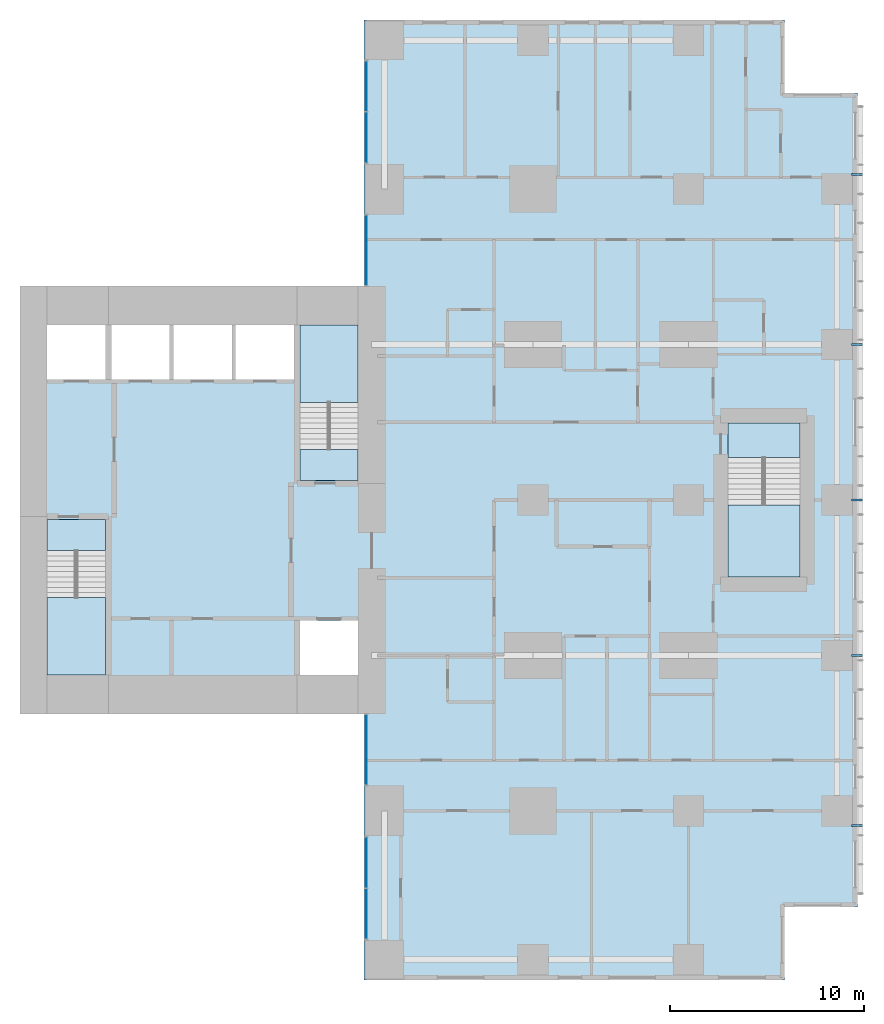
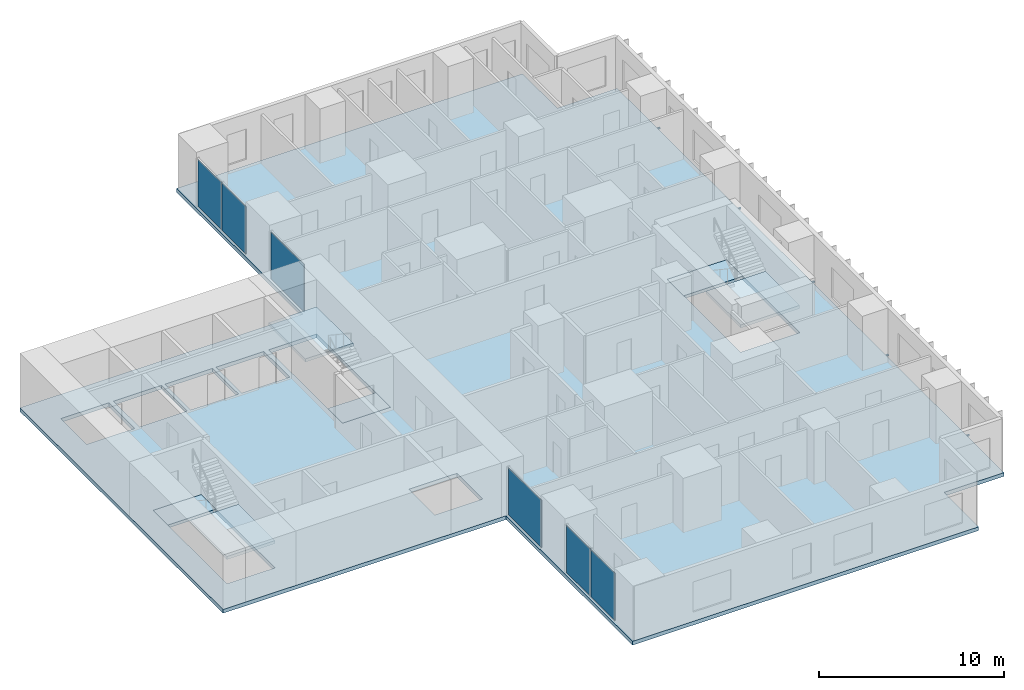
# One storey, part 4 of 12: 7 slabs, 6 plates, 5 members, 7 elements without a shape of their own.
"""IFC4 building model written with IfcOpenShell, lengths in metres."""

from ifc_helpers import new_model, si_unit, direction, frame, origin, origin_2d, place, context, subcontext, project, spatial, polyline, rectangle, hollow_rectangle, outline, extrude, material, layer, layer_set, material_profile, profile_set, type_object, element, aggregate, save


model = new_model("IFC4")

# Units and contexts
model_context = context("Model", 3, precision=1e-05, world=origin(), true_north=direction((0.0, 1.0)))
body_context = subcontext(model_context, "Body", "Model", "MODEL_VIEW")
ifc_project = project(units=[si_unit("LENGTHUNIT", "METRE"), si_unit("AREAUNIT", "SQUARE_METRE"), si_unit("VOLUMEUNIT", "CUBIC_METRE"), si_unit("PLANEANGLEUNIT", "RADIAN"), si_unit("MASSUNIT", "GRAM", prefix="KILO")], contexts=[model_context])

# Site, building, storey
site_placement = place(None, origin())
site = spatial("IfcSite", under=ifc_project, at=site_placement, CompositionType="ELEMENT")
building_placement = place(site_placement, origin())
building = spatial("IfcBuilding", under=site, at=building_placement, Name="Cleftline Residences", CompositionType="ELEMENT")
storey_placement = place(building_placement, frame((0.0, 0.0, 273.60009765625)))
storey = spatial("IfcBuildingStorey", under=building, at=storey_placement, Name="L72", CompositionType="ELEMENT", Elevation=273.60009765625)

# Members
ifc_material_1 = material(Name="Steel S355, hot-dip galvanised", Category="steel")
ifc_material_profile = material_profile(ifc_material_1, hollow_rectangle(XDim=0.10009765625, YDim=0.10009765625, WallThickness=0.008056640625, InnerFilletRadius=0.008056640625, OuterFilletRadius=0.011962890625, at=origin_2d()))
ifc_profile_set = profile_set([ifc_material_profile], Name="Steel S355, hot-dip galvanised")
member_type = type_object("IfcMemberType", Name="BAGUETTE BRACKET SHS 100X100X8", PredefinedType="USERDEFINED", material=ifc_profile_set)
for number, where, z_axis, x_axis, name in (
    (1, (66.39990234375, 7.25, -0.150146484375), (1.0, 0.0, 0.0), (0.0, 1.0, 0.0), "Baguette bracket"),
    (2, (66.39990234375, 16.0, -0.150146484375), (1.0, 0.0, 0.0), (0.0, 1.0, 0.0), "Baguette bracket"),
    (3, (66.39990234375, 24.0, -0.150146484375), (1.0, 0.0, 0.0), (0.0, 1.0, 0.0), "Baguette bracket"),
    (4, (66.39990234375, 32.0, -0.150146484375), (1.0, 0.0, 0.0), (0.0, 1.0, 0.0), "Baguette bracket"),
    (5, (66.39990234375, 40.75, -0.150146484375), (1.0, 0.0, 0.0), (0.0, 1.0, 0.0), "Baguette bracket"),
):
    element("IfcMember", number, at=place(storey_placement, frame(where, z_axis=z_axis, x_axis=x_axis)), inside=storey, type_object=member_type, Name=name, ObjectType="BAGUETTE BRACKET", PredefinedType="USERDEFINED", context=body_context, shape_type="SweptSolid", body=[
        extrude(hollow_rectangle(XDim=0.10009765625, YDim=0.10009765625, WallThickness=0.008056640625, InnerFilletRadius=0.008056640625, OuterFilletRadius=0.011962890625, at=origin_2d()), origin(), (0.0, 0.0, 1.0), 0.550048828125),
    ])

# Curtain wall, plate
ifc_material_2 = material(Name="Aluminium framed curtain wall", Category="aluminium")
ifc_layer_1 = layer(ifc_material_2, 0.199951171875)
ifc_layer_set_1 = layer_set([ifc_layer_1], Name="CW1 CLEFT GLAZING")
curtain_wall_type = type_object("IfcCurtainWallType", Name="CW1 CLEFT GLAZING", PredefinedType="NOTDEFINED", material=ifc_layer_set_1)
curtain_wall_1_placement = place(storey_placement, origin())
curtain_wall_1 = element("IfcCurtainWall", 6, at=curtain_wall_1_placement, inside=storey, type_object=curtain_wall_type, Name="Curtain wall CW1", PredefinedType="NOTDEFINED")
ifc_material_3 = material(Name="Laminated clear glass", Category="glass")
ifc_layer_2 = layer(ifc_material_3, 0.028076171875)
ifc_layer_set_2 = layer_set([ifc_layer_2], Name="CW1 GLASS PANEL")
plate_type_1 = type_object("IfcPlateType", Name="CW1 GLASS PANEL", PredefinedType="CURTAIN_PANEL", material=ifc_layer_set_2)
plate_1_placement = place(storey_placement, frame((41.425048828125, 5.347412109375, 0.06005859375), z_axis=(0.0, 0.0, 1.0), x_axis=(0.0, -1.0, 0.0)))
plate_1 = element("IfcPlate", 7, at=plate_1_placement, type_object=plate_type_1, Name="CW1 panel 1.1", PredefinedType="CURTAIN_PANEL", context=body_context, shape_type="SweptSolid", body=[
    extrude(rectangle(XDim=2.5849609375, YDim=0.028076171875, at=origin_2d()), origin(), (0.0, 0.0, 1.0), 3.1298828125),
])

curtain_wall_2_placement = place(storey_placement, origin())
curtain_wall_2 = element("IfcCurtainWall", 8, at=curtain_wall_2_placement, inside=storey, type_object=curtain_wall_type, Name="Curtain wall CW1", PredefinedType="NOTDEFINED")
plate_2_placement = place(storey_placement, frame((41.425048828125, 45.297607421875, 0.06005859375), z_axis=(0.0, 0.0, 1.0), x_axis=(0.0, -1.0, 0.0)))
plate_2 = element("IfcPlate", 9, at=plate_2_placement, type_object=plate_type_1, Name="CW1 panel 1.1", PredefinedType="CURTAIN_PANEL", context=body_context, shape_type="SweptSolid", body=[
    extrude(rectangle(XDim=2.5849609375, YDim=0.028076171875, at=origin_2d()), origin(), (0.0, 0.0, 1.0), 3.1298828125),
])

curtain_wall_3_placement = place(storey_placement, origin())
curtain_wall_3 = element("IfcCurtainWall", 10, at=curtain_wall_3_placement, inside=storey, type_object=curtain_wall_type, Name="Curtain wall CW1", PredefinedType="NOTDEFINED")
ifc_material_4 = material(Name="Insulated aluminium panel", Category="aluminium")
ifc_layer_3 = layer(ifc_material_4, 0.028076171875)
ifc_layer_set_3 = layer_set([ifc_layer_3], Name="CW1 INSULATED PANEL")
plate_type_2 = type_object("IfcPlateType", Name="CW1 INSULATED PANEL", PredefinedType="USERDEFINED", material=ifc_layer_set_3)
plate_3_placement = place(storey_placement, frame((41.425048828125, 11.14990234375, 0.06005859375), z_axis=(0.0, 0.0, 1.0), x_axis=(0.0, -1.0, 0.0)))
plate_3 = element("IfcPlate", 11, at=plate_3_placement, type_object=plate_type_2, Name="CW1 panel 1.1", ObjectType="INSULATED PANEL", PredefinedType="USERDEFINED", context=body_context, shape_type="SweptSolid", body=[
    extrude(rectangle(XDim=3.580078125, YDim=0.028076171875, at=origin_2d()), origin(), (0.0, 0.0, 1.0), 3.1298828125),
])
aggregate(curtain_wall_3, [plate_3])

# Plate
plate_4_placement = place(storey_placement, frame((41.425048828125, 2.702392578125, 0.06005859375), z_axis=(0.0, 0.0, 1.0), x_axis=(0.0, -1.0, 0.0)))
plate_4 = element("IfcPlate", 12, at=plate_4_placement, type_object=plate_type_2, Name="CW1 panel 2.1", ObjectType="INSULATED PANEL", PredefinedType="USERDEFINED", context=body_context, shape_type="SweptSolid", body=[
    extrude(rectangle(XDim=2.5849609375, YDim=0.028076171875, at=origin_2d()), origin(), (0.0, 0.0, 1.0), 3.1298828125),
])

aggregate(curtain_wall_1, [plate_1, plate_4])

plate_5_placement = place(storey_placement, frame((41.425048828125, 42.652587890625, 0.06005859375), z_axis=(0.0, 0.0, 1.0), x_axis=(0.0, -1.0, 0.0)))
plate_5 = element("IfcPlate", 13, at=plate_5_placement, type_object=plate_type_2, Name="CW1 panel 2.1", ObjectType="INSULATED PANEL", PredefinedType="USERDEFINED", context=body_context, shape_type="SweptSolid", body=[
    extrude(rectangle(XDim=2.5849609375, YDim=0.028076171875, at=origin_2d()), origin(), (0.0, 0.0, 1.0), 3.1298828125),
])

aggregate(curtain_wall_2, [plate_2, plate_5])

# Curtain wall, plate
curtain_wall_4_placement = place(storey_placement, origin())
curtain_wall_4 = element("IfcCurtainWall", 14, at=curtain_wall_4_placement, inside=storey, type_object=curtain_wall_type, Name="Curtain wall CW1", PredefinedType="NOTDEFINED")
plate_6_placement = place(storey_placement, frame((41.425048828125, 36.85009765625, 0.06005859375), z_axis=(0.0, 0.0, 1.0), x_axis=(0.0, -1.0, 0.0)))
plate_6 = element("IfcPlate", 15, at=plate_6_placement, type_object=plate_type_2, Name="CW1 panel 1.1", ObjectType="INSULATED PANEL", PredefinedType="USERDEFINED", context=body_context, shape_type="SweptSolid", body=[
    extrude(rectangle(XDim=3.580078125, YDim=0.028076171875, at=origin_2d()), origin(), (0.0, 0.0, 1.0), 3.1298828125),
])
aggregate(curtain_wall_4, [plate_6])

# Slab
ifc_material_5 = material(Name="Concrete B45", Category="concrete")
ifc_layer_4 = layer(ifc_material_5, 0.25)
ifc_layer_set_4 = layer_set([ifc_layer_4], Name="FLOOR SLAB 250")
slab_type_1 = type_object("IfcSlabType", Name="FLOOR SLAB 250", PredefinedType="FLOOR", material=ifc_layer_set_4)
slab_1_placement = place(storey_placement, frame((0.0, 0.0, -0.25)))
element("IfcSlab", 16, at=slab_1_placement, inside=storey, type_object=slab_type_1, Name="Floor slab L72", PredefinedType="FLOOR", context=body_context, shape_type="SweptSolid", body=[
    extrude(outline(polyline([(41.300048828125, 13.0), (41.300048828125, -0.699951171875), (62.949951171875, -0.699951171875), (62.949951171875, 3.050048828125), (66.699951171875, 3.050048828125), (66.699951171875, 44.949951171875), (62.949951171875, 44.949951171875), (62.949951171875, 48.699951171875), (41.300048828125, 48.699951171875), (41.300048828125, 35.0), (23.60009765625, 35.0), (23.60009765625, 13.0), (41.300048828125, 13.0)]), holes=[polyline([(28.0, 15.0), (28.0, 23.0), (25.0, 23.0), (25.0, 15.0), (28.0, 15.0)]), polyline([(41.0, 25.0), (41.0, 33.0), (38.0, 33.0), (38.0, 25.0), (41.0, 25.0)]), polyline([(28.0, 30.199951171875), (28.0, 33.0), (25.0, 33.0), (25.0, 30.199951171875), (28.0, 30.199951171875)]), polyline([(41.0, 15.0), (41.0, 17.800048828125), (38.0, 17.800048828125), (38.0, 15.0), (41.0, 15.0)]), polyline([(31.300048828125, 30.199951171875), (31.300048828125, 33.0), (28.300048828125, 33.0), (28.300048828125, 30.199951171875), (31.300048828125, 30.199951171875)]), polyline([(34.5, 30.199951171875), (34.5, 33.0), (31.5, 33.0), (31.5, 30.199951171875), (34.5, 30.199951171875)]), polyline([(37.699951171875, 30.199951171875), (37.699951171875, 33.0), (34.699951171875, 33.0), (34.699951171875, 30.199951171875), (37.699951171875, 30.199951171875)]), polyline([(63.72509765625, 20.02490234375), (63.72509765625, 27.97509765625), (60.02490234375, 27.97509765625), (60.02490234375, 20.02490234375), (63.72509765625, 20.02490234375)])]), origin(), (0.0, 0.0, 1.0), 0.25),
])

# Stair, slabs
ifc_material_6 = material(Name="Concrete B45, stone treads", Category="masonry")
stair_type_1 = type_object("IfcStairType", Name="STAIR A 1450 WIDE 180 RISER", PredefinedType="HALF_TURN_STAIR", material=ifc_material_6)
stair_1_placement = place(storey_placement, origin())
stair_1 = element("IfcStair", 17, at=stair_1_placement, inside=storey, type_object=stair_type_1, Name="Stair A L72", PredefinedType="HALF_TURN_STAIR")
ifc_material_7 = material(Name="Concrete B45", Category="concrete")
ifc_layer_5 = layer(ifc_material_7, 0.199951171875)
ifc_layer_set_5 = layer_set([ifc_layer_5], Name="STAIR LANDING 200")
slab_type_2 = type_object("IfcSlabType", Name="STAIR LANDING 200", PredefinedType="LANDING", material=ifc_layer_set_5)
slab_2_placement = place(storey_placement, frame((0.0, 0.0, -0.2001953125)))
slab_2 = element("IfcSlab", 18, at=slab_2_placement, type_object=slab_type_2, Name="ST-A landing 1", PredefinedType="LANDING", context=body_context, shape_type="SweptSolid", body=[
    extrude(outline(polyline([(25.0, 21.39990234375), (28.0, 21.39990234375), (28.0, 23.0), (25.0, 23.0), (25.0, 21.39990234375)])), origin(), (0.0, 0.0, 1.0), 0.2001953125),
])
slab_3_placement = place(storey_placement, frame((0.0, 0.0, 1.599853515625)))
slab_3 = element("IfcSlab", 19, at=slab_3_placement, type_object=slab_type_2, Name="ST-A landing 2", PredefinedType="LANDING", context=body_context, shape_type="SweptSolid", body=[
    extrude(outline(polyline([(25.0, 15.0), (28.0, 15.0), (28.0, 18.969970703125), (25.0, 18.969970703125), (25.0, 15.0)])), origin(), (0.0, 0.0, 1.0), 0.199951171875),
])
aggregate(stair_1, [slab_2, slab_3])

ifc_material_8 = material(Name="Concrete B45, stone treads", Category="masonry")
stair_type_2 = type_object("IfcStairType", Name="STAIR B 1450 WIDE 180 RISER", PredefinedType="HALF_TURN_STAIR", material=ifc_material_8)
stair_2_placement = place(storey_placement, origin())
stair_2 = element("IfcStair", 20, at=stair_2_placement, inside=storey, type_object=stair_type_2, Name="Stair B L72", PredefinedType="HALF_TURN_STAIR")
slab_4_placement = place(storey_placement, frame((0.0, 0.0, -0.2001953125)))
slab_4 = element("IfcSlab", 21, at=slab_4_placement, type_object=slab_type_2, Name="ST-B landing 1", PredefinedType="LANDING", context=body_context, shape_type="SweptSolid", body=[
    extrude(outline(polyline([(38.0, 25.0), (41.0, 25.0), (41.0, 26.60009765625), (38.0, 26.60009765625), (38.0, 25.0)])), origin(), (0.0, 0.0, 1.0), 0.2001953125),
])
slab_5_placement = place(storey_placement, frame((0.0, 0.0, 1.599853515625)))
slab_5 = element("IfcSlab", 22, at=slab_5_placement, type_object=slab_type_2, Name="ST-B landing 2", PredefinedType="LANDING", context=body_context, shape_type="SweptSolid", body=[
    extrude(outline(polyline([(38.0, 29.030029296875), (41.0, 29.030029296875), (41.0, 33.0), (38.0, 33.0), (38.0, 29.030029296875)])), origin(), (0.0, 0.0, 1.0), 0.199951171875),
])
aggregate(stair_2, [slab_4, slab_5])

ifc_material_9 = material(Name="Concrete B45, stone treads", Category="masonry")
stair_type_3 = type_object("IfcStairType", Name="STAIR E 1800 WIDE 180 RISER", PredefinedType="HALF_TURN_STAIR", material=ifc_material_9)
stair_3_placement = place(storey_placement, origin())
stair_3 = element("IfcStair", 23, at=stair_3_placement, inside=storey, type_object=stair_type_3, Name="Stair E L72", PredefinedType="HALF_TURN_STAIR")
slab_6_placement = place(storey_placement, frame((0.0, 0.0, -0.2001953125)))
slab_6 = element("IfcSlab", 24, at=slab_6_placement, type_object=slab_type_2, Name="ST-E landing 1", PredefinedType="LANDING", context=body_context, shape_type="SweptSolid", body=[
    extrude(outline(polyline([(60.02490234375, 26.175048828125), (63.72509765625, 26.175048828125), (63.72509765625, 27.97509765625), (60.02490234375, 27.97509765625), (60.02490234375, 26.175048828125)])), origin(), (0.0, 0.0, 1.0), 0.2001953125),
])
slab_7_placement = place(storey_placement, frame((0.0, 0.0, 1.599853515625)))
slab_7 = element("IfcSlab", 25, at=slab_7_placement, type_object=slab_type_2, Name="ST-E landing 2", PredefinedType="LANDING", context=body_context, shape_type="SweptSolid", body=[
    extrude(outline(polyline([(60.02490234375, 20.02490234375), (63.72509765625, 20.02490234375), (63.72509765625, 23.7451171875), (60.02490234375, 23.7451171875), (60.02490234375, 20.02490234375)])), origin(), (0.0, 0.0, 1.0), 0.199951171875),
])
aggregate(stair_3, [slab_6, slab_7])

save(model, "model.ifc")
